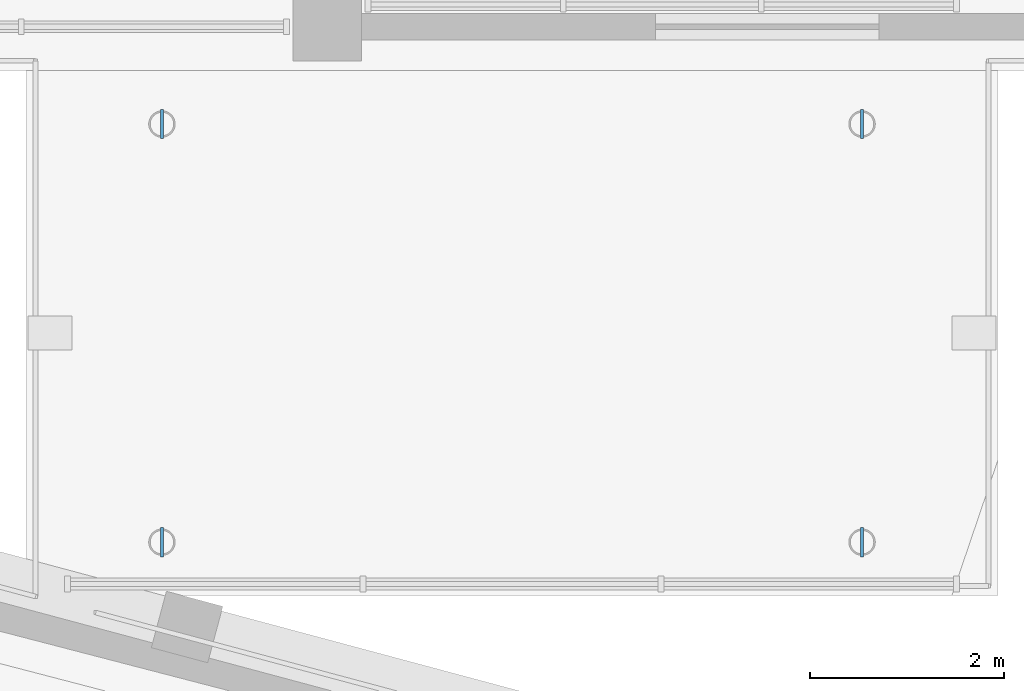
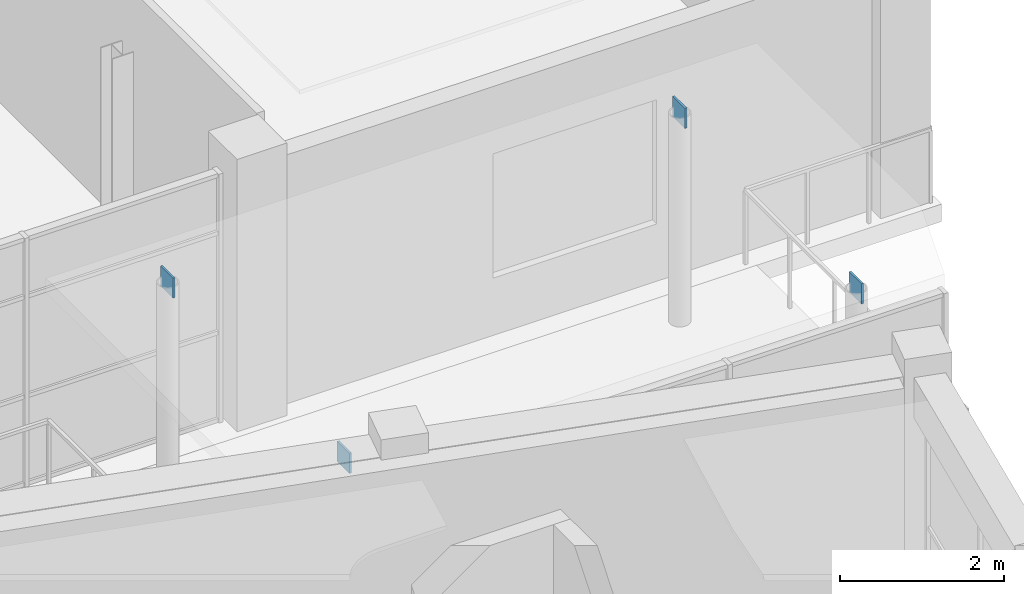
# One storey, part 44 of 72: 4 plates.
"""IFC4 building model written with IfcOpenShell, lengths in metres."""

from ifc_helpers import new_model, si_unit, direction, frame, origin, origin_2d, place, context, subcontext, project, spatial, rectangle, extrude, material, layer, layer_set, type_object, element, save


model = new_model("IFC4")

# Units and contexts
model_context = context("Model", 3, precision=1e-05, world=origin(), true_north=direction((0.0, 1.0)))
body_context = subcontext(model_context, "Body", "Model", "MODEL_VIEW")
ifc_project = project(units=[si_unit("LENGTHUNIT", "METRE"), si_unit("AREAUNIT", "SQUARE_METRE"), si_unit("VOLUMEUNIT", "CUBIC_METRE"), si_unit("PLANEANGLEUNIT", "RADIAN"), si_unit("MASSUNIT", "GRAM", prefix="KILO")], contexts=[model_context])

# Site, building, storey
site_placement = place(None, origin())
site = spatial("IfcSite", under=ifc_project, at=site_placement, CompositionType="ELEMENT")
building_placement = place(site_placement, origin())
building = spatial("IfcBuilding", under=site, at=building_placement, Name="Saryqyr Civic Hall", CompositionType="ELEMENT")
storey_placement = place(building_placement, frame((0.0, 0.0, 17.25)))
storey = spatial("IfcBuildingStorey", under=building, at=storey_placement, Name="L04", CompositionType="ELEMENT", Elevation=17.25)

# Plates
ifc_material = material(Name="Steel S355", Category="steel")
ifc_layer = layer(ifc_material, 0.028076171875, Name="Steel S355")
ifc_layer_set = layer_set([ifc_layer], Name="Steel S355")
plate_type = type_object("IfcPlateType", Name="STR-PLT-CAP28", PredefinedType="USERDEFINED", material=ifc_layer_set)
for number, where, z_axis, x_axis, name in (
    (1, (15.39990234375, 95.949951171875, 2.9501953125), (0.0, 0.0, 1.0), (1.0, 0.0, 0.0), "Hollow section end cap BRCOLCAP-BR-NW-1"),
    (2, (22.60009765625, 95.949951171875, 2.9501953125), (0.0, 0.0, 1.0), (1.0, 0.0, 0.0), "Hollow section end cap BRCOLCAP-BR-NW-2"),
    (3, (22.60009765625, 100.25, 2.9501953125), (0.0, 0.0, 1.0), (1.0, 0.0, 0.0), "Hollow section end cap BRCOLCAP-BR-NW-3"),
    (4, (15.39990234375, 100.25, 2.9501953125), (0.0, 0.0, 1.0), (1.0, 0.0, 0.0), "Hollow section end cap BRCOLCAP-BR-NW-4"),
):
    element("IfcPlate", number, at=place(storey_placement, frame(where, z_axis=z_axis, x_axis=x_axis)), inside=storey, type_object=plate_type, Name=name, ObjectType="FLANGE_PLATE", PredefinedType="USERDEFINED", context=body_context, shape_type="SweptSolid", body=[
        extrude(rectangle(XDim=0.028076171875, YDim=0.300048828125, at=origin_2d()), origin(), (0.0, 0.0, 1.0), 0.300048828125),
    ])

save(model, "model.ifc")
